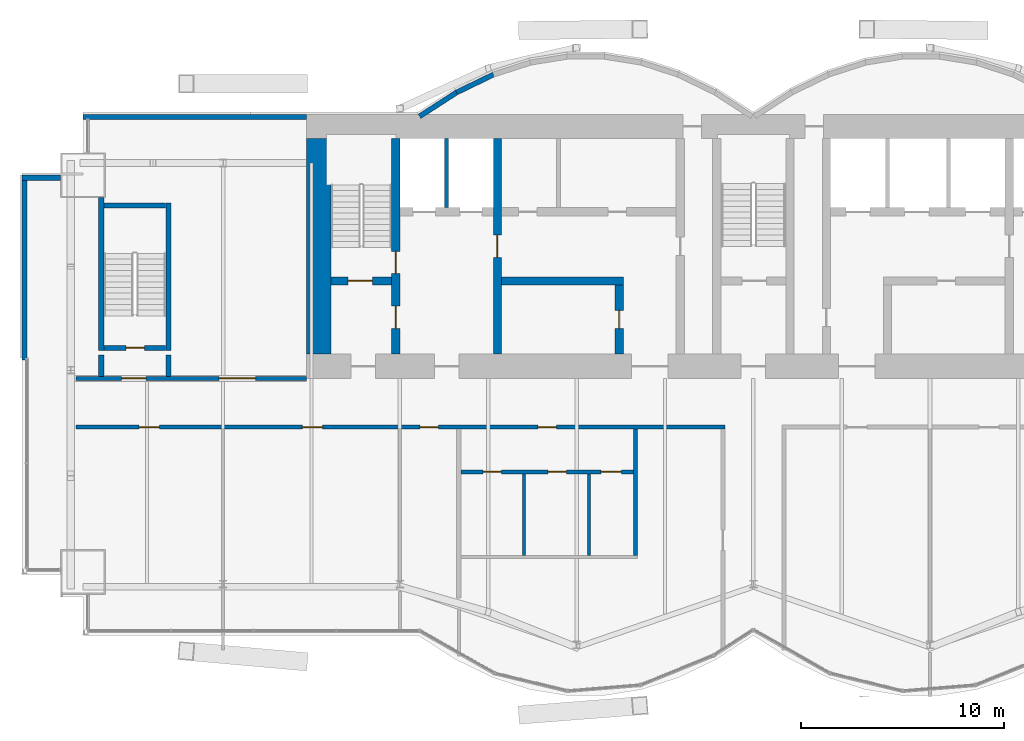
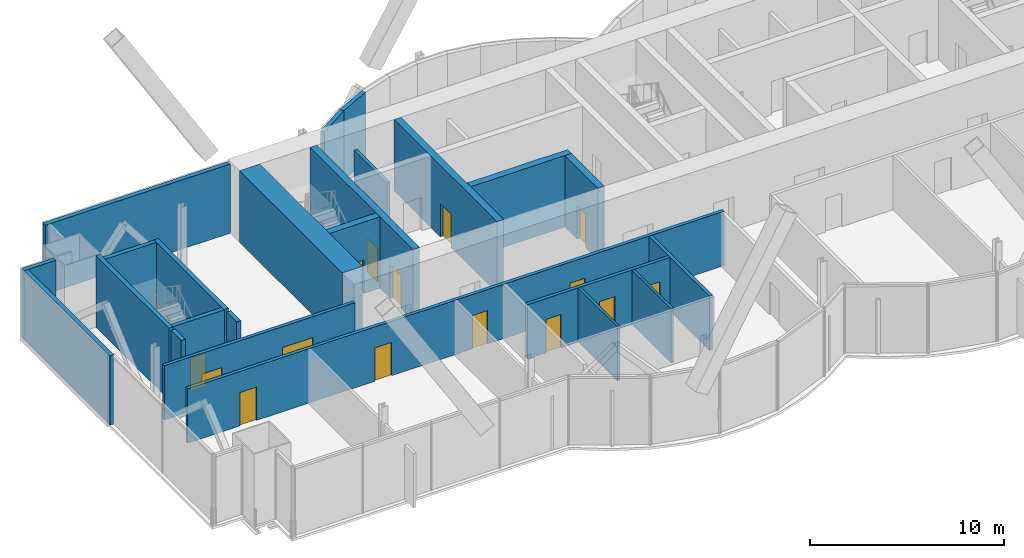
# One storey, part 13 of 19: 24 walls, 15 doors, 15 openings.
"""IFC4 building model written with IfcOpenShell, lengths in metres."""

import ifcopenshell
import ifcopenshell.guid

model = None  # the IFC model being written
_history = None  # IfcOwnerHistory: only IFC2X3 demands one
_inside = {}  # id of a spatial element -> (the spatial element, [elements in it])
_under = {}  # id of a project, library or spatial element -> (it, [spatial elements below it])
_declared = {}  # id of a project -> (the project, [libraries it declares])
_typed = {}  # id of a type object -> (the type object, [elements of that type])
_made_of = {}  # id of a material, layer set ... -> (it, [elements and type objects made of it])


def new_model(schema):
    """Start an empty IFC model of exactly this schema.

    Asked for "IFC4X3", IfcOpenShell would pick the latest addendum, in which some entities
    have other attributes; the version numbers below select the first issue.
    IFC2X3 requires an IfcOwnerHistory on every rooted entity: one is made here for all.
    """
    global model, _history
    if schema == "IFC4X3":
        model = ifcopenshell.file(schema_version=(4, 3, 0, 0))
    else:
        model = ifcopenshell.file(schema=schema)
    _inside.clear()
    _under.clear()
    _declared.clear()
    _typed.clear()
    _made_of.clear()
    _history = None
    if model.schema == "IFC2X3":
        org = make("IfcOrganization", Name="unknown")
        user = make(
            "IfcPersonAndOrganization",
            ThePerson=make("IfcPerson", FamilyName="unknown"),
            TheOrganization=org,
        )
        app = make(
            "IfcApplication",
            ApplicationDeveloper=org,
            Version="unknown",
            ApplicationFullName="unknown",
            ApplicationIdentifier="unknown",
        )
        _history = make(
            "IfcOwnerHistory",
            OwningUser=user,
            OwningApplication=app,
            ChangeAction="ADDED",
            CreationDate=0,
        )
    return model


def make(cls, **values):
    """One entity of the class cls with the attributes given. An attribute that is None is left unset."""
    return model.create_entity(
        cls, **{name: value for name, value in values.items() if value is not None}
    )


def rooted(cls, **values):
    """An entity with a GlobalId (a new one), such as an element, a storey or a relation."""
    return make(cls, GlobalId=ifcopenshell.guid.new(), OwnerHistory=_history, **values)


def si_unit(unit_type, name, prefix=None):
    """IfcSIUnit, for example si_unit("LENGTHUNIT", "METRE", prefix="MILLI")."""
    return make("IfcSIUnit", UnitType=unit_type, Prefix=prefix, Name=name)


def assignment(units):
    """IfcUnitAssignment: the units of a project."""
    return None if units is None else make("IfcUnitAssignment", Units=units)


def point(xyz):
    """IfcCartesianPoint."""
    return None if xyz is None else make("IfcCartesianPoint", Coordinates=xyz)


def direction(xyz):
    """IfcDirection."""
    return None if xyz is None else make("IfcDirection", DirectionRatios=xyz)


def frame(location, z_axis=None, x_axis=None):
    """IfcAxis2Placement3D, a coordinate frame: its origin and axes. An axis left out is left unset."""
    return make(
        "IfcAxis2Placement3D",
        Location=point(location),
        Axis=direction(z_axis),
        RefDirection=direction(x_axis),
    )


def frame_2d(location, x_axis=None):
    """IfcAxis2Placement2D, a coordinate frame in the plane: its origin and x axis."""
    return make(
        "IfcAxis2Placement2D", Location=point(location), RefDirection=direction(x_axis)
    )


def origin():
    """The frame at (0, 0, 0) with its axes left unset."""
    return frame((0.0, 0.0, 0.0))


def place(relative_to, where):
    """IfcLocalPlacement: puts the frame where relative to a parent placement (None: the world)."""
    return make(
        "IfcLocalPlacement", PlacementRelTo=relative_to, RelativePlacement=where
    )


def context(
    kind, dimensions, precision=None, world=None, true_north=None, identifier=None
):
    """IfcGeometricRepresentationContext, for example the 3D "Model" context."""
    return make(
        "IfcGeometricRepresentationContext",
        ContextIdentifier=identifier,
        ContextType=kind,
        CoordinateSpaceDimension=dimensions,
        Precision=precision,
        WorldCoordinateSystem=world,
        TrueNorth=true_north,
    )


def subcontext(parent, identifier, kind, view, scale=None):
    """IfcGeometricRepresentationSubContext, for example "Body" below "Model"."""
    return make(
        "IfcGeometricRepresentationSubContext",
        ContextIdentifier=identifier,
        ContextType=kind,
        ParentContext=parent,
        TargetScale=scale,
        TargetView=view,
    )


def project(units=None, contexts=None):
    """IfcProject with its units and contexts."""
    return rooted(
        "IfcProject",
        Name="project",
        RepresentationContexts=contexts,
        UnitsInContext=assignment(units),
    )


def spatial(cls, under=None, at=None, **own):
    """A site, building, storey or space (cls), placed at a placement, below another one or the project."""
    s = rooted(cls, ObjectPlacement=at, **own)
    if under is not None:
        _under.setdefault(under.id(), (under, []))[1].append(s)
    return s


def profile(cls, at=None, kind="AREA", **sizes):
    """A parametric profile (cls). Its sizes go by their IFC names, for example OverallWidth=200.0."""
    return make(cls, ProfileType=kind, Position=at, **sizes)


def rectangle(**sizes):
    """IfcRectangleProfileDef."""
    return profile("IfcRectangleProfileDef", **sizes)


def extrude(swept, where, along, depth):
    """IfcExtrudedAreaSolid: the profile swept, set in the frame where, extruded along a direction by depth."""
    return make(
        "IfcExtrudedAreaSolid",
        SweptArea=swept,
        Position=where,
        ExtrudedDirection=direction(along),
        Depth=depth,
    )


def shape(context_of_items, identifier, shape_type, items):
    """IfcShapeRepresentation: the items that make up one representation, for example the "Body"."""
    return make(
        "IfcShapeRepresentation",
        ContextOfItems=context_of_items,
        RepresentationIdentifier=identifier,
        RepresentationType=shape_type,
        Items=items,
    )


def material(Name=None, Category=None):
    """IfcMaterial."""
    return make("IfcMaterial", Name=Name, Category=Category)


def layer(
    of_material, thickness, ventilated=None, Name=None, Category=None, Priority=None
):
    """IfcMaterialLayer: one layer of a wall or slab, of a material (None: an air gap)."""
    return make(
        "IfcMaterialLayer",
        Material=of_material,
        LayerThickness=thickness,
        IsVentilated=ventilated,
        Name=Name,
        Category=Category,
        Priority=Priority,
    )


def layer_set(layers, Name=None):
    """IfcMaterialLayerSet."""
    return make("IfcMaterialLayerSet", MaterialLayers=layers, LayerSetName=Name)


def layer_usage(for_layer_set, set_direction, sense, offset, extent=None):
    """IfcMaterialLayerSetUsage: how a layer set lies in its element."""
    return make(
        "IfcMaterialLayerSetUsage",
        ForLayerSet=for_layer_set,
        LayerSetDirection=set_direction,
        DirectionSense=sense,
        OffsetFromReferenceLine=offset,
        ReferenceExtent=extent,
    )


def made_of(thing, what):
    """Note that an element or type object is made of a material, layer set ...; save() writes the relation."""
    if what is not None:
        _made_of.setdefault(what.id(), (what, []))[1].append(thing)
    return thing


def type_object(cls, material=None, **own):
    """A type object (cls), such as IfcWallType, which elements share."""
    return made_of(rooted(cls, **own), material)


def element(
    cls,
    number,
    at=None,
    inside=None,
    cuts=None,
    type_object=None,
    material=None,
    context=None,
    identifier="Body",
    shape_type=None,
    held_by="IfcProductDefinitionShape",
    body=None,
    shapes=None,
    **own,
):
    """One element of the class cls, such as IfcWall. Its Tag is "e" and its number.

    at: its placement. inside: the storey or other place that contains it. cuts: it is an
    opening in that element (IfcRelVoidsElement). A single representation is given by context,
    identifier, shape_type and body (its items); several are given by shapes. held_by: the class
    of the entity that holds the representations. save() writes the other relations.
    """
    e = rooted(cls, Tag="e%d" % number, ObjectPlacement=at, **own)
    if body is not None:
        shapes = [shape(context, identifier, shape_type, body)]
    if shapes is not None:
        e.Representation = make(held_by, Representations=shapes)
    if inside is not None:
        _inside.setdefault(inside.id(), (inside, []))[1].append(e)
    if cuts is not None:
        rooted(
            "IfcRelVoidsElement", RelatingBuildingElement=cuts, RelatedOpeningElement=e
        )
    if type_object is not None:
        _typed.setdefault(type_object.id(), (type_object, []))[1].append(e)
    return made_of(e, material)


def fill(opening, filler):
    """IfcRelFillsElement: the door or window that sits in an opening."""
    return rooted(
        "IfcRelFillsElement",
        RelatingOpeningElement=opening,
        RelatedBuildingElement=filler,
    )


def aggregate(whole, parts):
    """IfcRelAggregates: a whole, such as a stair, and the parts it consists of."""
    return rooted("IfcRelAggregates", RelatingObject=whole, RelatedObjects=parts)


def save(model, path):
    """Write the relations noted so far, then the file.

    IfcRelAggregates (storeys below a building ...), IfcRelContainedInSpatialStructure (elements
    in a storey), IfcRelDefinesByType, IfcRelAssociatesMaterial and IfcRelDeclares: one each for
    every whole, place, type object, material and project.
    """
    for whole, parts in _under.values():
        aggregate(whole, parts)
    for where, things in _inside.values():
        rooted(
            "IfcRelContainedInSpatialStructure",
            RelatedElements=things,
            RelatingStructure=where,
        )
    for kind, things in _typed.values():
        rooted("IfcRelDefinesByType", RelatedObjects=things, RelatingType=kind)
    for what, things in _made_of.values():
        rooted("IfcRelAssociatesMaterial", RelatedObjects=things, RelatingMaterial=what)
    for by, libraries in _declared.values():
        rooted("IfcRelDeclares", RelatingContext=by, RelatedDefinitions=libraries)
    model.write(path)


model = new_model("IFC4")

# Units and contexts
model_context = context("Model", 3, precision=1e-05, world=origin(), true_north=direction((0.0, 1.0)))
body_context = subcontext(model_context, "Body", "Model", "MODEL_VIEW")
ifc_project = project(units=[si_unit("LENGTHUNIT", "METRE"), si_unit("AREAUNIT", "SQUARE_METRE"), si_unit("VOLUMEUNIT", "CUBIC_METRE"), si_unit("PLANEANGLEUNIT", "RADIAN"), si_unit("MASSUNIT", "GRAM", prefix="KILO")], contexts=[model_context])

# Site, building, storey
site_placement = place(None, origin())
site = spatial("IfcSite", under=ifc_project, at=site_placement, CompositionType="ELEMENT")
building_placement = place(site_placement, origin())
building = spatial("IfcBuilding", under=site, at=building_placement, Name="Bicima Exchange Tower", CompositionType="ELEMENT")
storey_placement = place(building_placement, frame((0.0, 0.0, 324.5)))
storey = spatial("IfcBuildingStorey", under=building, at=storey_placement, Name="L73", CompositionType="ELEMENT", Elevation=324.5)

# Wall
ifc_material_1 = material(Name="Gypsum board partition")
ifc_layer_1 = layer(ifc_material_1, 0.199951171875)
ifc_layer_set_1 = layer_set([ifc_layer_1], Name="Gypsum board partition")
wall_type_1 = type_object("IfcWallType", Name="Fire-rated gypsum partition 200 EI120", PredefinedType="PARTITIONING", material=ifc_layer_set_1)
wall_1_placement = place(storey_placement, frame((-15.10009765625, -4.60009765625, 0.0), z_axis=(0.0, 0.0, 1.0), x_axis=(0.0, 1.0, 0.0)))
element("IfcWall", 1, at=wall_1_placement, inside=storey, type_object=wall_type_1, Name="partition wall 9", PredefinedType="PARTITIONING", context=body_context, shape_type="SweptSolid", body=[
    extrude(rectangle(XDim=3.400146484375, YDim=0.199951171875, at=frame_2d((1.7001953125, 0.0))), origin(), (0.0, 0.0, 1.0), 3.418212890625),
])

# Wall, openings, doors
ifc_layer_2 = layer(ifc_material_1, 0.199951171875)
ifc_layer_set_2 = layer_set([ifc_layer_2], Name="Gypsum board partition")
wall_type_2 = type_object("IfcWallType", Name="Fire-rated gypsum partition 200 EI60", PredefinedType="PARTITIONING", material=ifc_layer_set_2)
wall_2_placement = place(storey_placement, frame((-14.39990234375, -17.60009765625, 0.0), z_axis=(0.0, 0.0, 1.0), x_axis=(1.0, 0.0, 0.0)))
wall_2 = element("IfcWall", 2, at=wall_2_placement, inside=storey, type_object=wall_type_2, Name="partition wall 2", PredefinedType="PARTITIONING", context=body_context, shape_type="SweptSolid", body=[
    extrude(rectangle(XDim=8.5, YDim=0.199951171875, at=frame_2d((4.25, 0.0))), origin(), (0.0, 0.0, 1.0), 3.418212890625),
])
opening_1_placement = place(wall_2_placement, frame((1.10009765625, 0.0, 0.0)))
opening_1 = element("IfcOpeningElement", 3, at=opening_1_placement, cuts=wall_2, Name="Opening L73-011", PredefinedType="OPENING", context=body_context, shape_type="SweptSolid", body=[
    extrude(rectangle(XDim=0.89990234375, YDim=2.10009765625, at=frame_2d((0.449951171875, 1.050048828125))), frame((0.0, 0.11181640625, 0.0), z_axis=(0.0, -1.0, 0.0), x_axis=(1.0, 0.0, 0.0)), (0.0, 0.0, 1.0), 0.223876953125),
])
opening_2_placement = place(wall_2_placement, frame((4.300048828125, 0.0, 0.0)))
opening_2 = element("IfcOpeningElement", 4, at=opening_2_placement, cuts=wall_2, Name="Opening L73-012", PredefinedType="OPENING", context=body_context, shape_type="SweptSolid", body=[
    extrude(rectangle(XDim=0.89990234375, YDim=2.10009765625, at=frame_2d((0.449951171875, 1.050048828125))), frame((0.0, 0.11181640625, 0.0), z_axis=(0.0, -1.0, 0.0), x_axis=(1.0, 0.0, 0.0)), (0.0, 0.0, 1.0), 0.223876953125),
])
opening_3_placement = place(wall_2_placement, frame((6.89990234375, 0.0, 0.0)))
opening_3 = element("IfcOpeningElement", 5, at=opening_3_placement, cuts=wall_2, Name="Opening L73-013", PredefinedType="OPENING", context=body_context, shape_type="SweptSolid", body=[
    extrude(rectangle(XDim=1.0, YDim=2.10009765625, at=frame_2d((0.5, 1.050048828125))), frame((0.0, 0.11181640625, 0.0), z_axis=(0.0, -1.0, 0.0), x_axis=(1.0, 0.0, 0.0)), (0.0, 0.0, 1.0), 0.223876953125),
])
ifc_material_2 = material(Name="Steel fire door leaf", Category="steel")
door_type_1 = type_object("IfcDoorType", Name="Door 1000 swing FD30S", OperationType="SINGLE_SWING_LEFT", PredefinedType="DOOR", material=ifc_material_2)
door_1_placement = place(opening_3_placement, frame((1.0, 0.0, 0.0), z_axis=(0.0, 0.0, 1.0), x_axis=(-1.0, 0.0, 0.0)))
door_1 = element("IfcDoor", 6, at=door_1_placement, inside=storey, type_object=door_type_1, Name="Door", OperationType="SINGLE_SWING_LEFT", OverallHeight=2.10009765625, OverallWidth=1.0, PredefinedType="DOOR", context=body_context, shape_type="SweptSolid", body=[
    extrude(rectangle(XDim=1.0, YDim=2.10009765625, at=frame_2d((0.5, 1.050048828125))), frame((0.0, 0.02490234375, 0.0), z_axis=(0.0, -1.0, 0.0), x_axis=(1.0, 0.0, 0.0)), (0.0, 0.0, 1.0), 0.050048828125),
])
fill(opening_3, door_1)
door_type_2 = type_object("IfcDoorType", Name="Door 900 swing FD30S", OperationType="SINGLE_SWING_LEFT", PredefinedType="DOOR", material=ifc_material_2)
door_2_placement = place(opening_1_placement, frame((0.89990234375, 0.0, 0.0), z_axis=(0.0, 0.0, 1.0), x_axis=(-1.0, 0.0, 0.0)))
door_2 = element("IfcDoor", 7, at=door_2_placement, inside=storey, type_object=door_type_2, Name="Door", OperationType="SINGLE_SWING_RIGHT", OverallHeight=2.10009765625, OverallWidth=0.89990234375, PredefinedType="DOOR", context=body_context, shape_type="SweptSolid", body=[
    extrude(rectangle(XDim=0.89990234375, YDim=2.10009765625, at=frame_2d((0.449951171875, 1.050048828125))), frame((0.0, 0.02490234375, 0.0), z_axis=(0.0, -1.0, 0.0), x_axis=(1.0, 0.0, 0.0)), (0.0, 0.0, 1.0), 0.050048828125),
])
fill(opening_1, door_2)
door_3_placement = place(opening_2_placement, frame((0.89990234375, 0.0, 0.0), z_axis=(0.0, 0.0, 1.0), x_axis=(-1.0, 0.0, 0.0)))
door_3 = element("IfcDoor", 8, at=door_3_placement, inside=storey, type_object=door_type_2, Name="Door", OperationType="SINGLE_SWING_RIGHT", OverallHeight=2.10009765625, OverallWidth=0.89990234375, PredefinedType="DOOR", context=body_context, shape_type="SweptSolid", body=[
    extrude(rectangle(XDim=0.89990234375, YDim=2.10009765625, at=frame_2d((0.449951171875, 1.050048828125))), frame((0.0, 0.02490234375, 0.0), z_axis=(0.0, -1.0, 0.0), x_axis=(1.0, 0.0, 0.0)), (0.0, 0.0, 1.0), 0.050048828125),
])
fill(opening_2, door_3)

wall_3_placement = place(storey_placement, frame((-33.340087890625, -15.39990234375, 0.0), z_axis=(0.0, 0.0, 1.0), x_axis=(1.0, 0.0, 0.0)))
wall_3 = element("IfcWall", 9, at=wall_3_placement, inside=storey, type_object=wall_type_2, Name="partition wall 3", PredefinedType="PARTITIONING", context=body_context, shape_type="SweptSolid", body=[
    extrude(rectangle(XDim=31.940185546875, YDim=0.199951171875, at=frame_2d((15.97021484375, 0.0))), origin(), (0.0, 0.0, 1.0), 3.418212890625),
])
opening_4_placement = place(wall_3_placement, frame((3.10009765625, 0.0, 0.0)))
opening_4 = element("IfcOpeningElement", 10, at=opening_4_placement, cuts=wall_3, Name="Opening L73-007", PredefinedType="OPENING", context=body_context, shape_type="SweptSolid", body=[
    extrude(rectangle(XDim=1.0, YDim=2.10009765625, at=frame_2d((0.5, 1.050048828125))), frame((0.0, 0.11181640625, 0.0), z_axis=(0.0, -1.0, 0.0), x_axis=(1.0, 0.0, 0.0)), (0.0, 0.0, 1.0), 0.223876953125),
])
opening_5_placement = place(wall_3_placement, frame((11.139892578125, 0.0, 0.0)))
opening_5 = element("IfcOpeningElement", 11, at=opening_5_placement, cuts=wall_3, Name="Opening L73-008", PredefinedType="OPENING", context=body_context, shape_type="SweptSolid", body=[
    extrude(rectangle(XDim=1.0, YDim=2.10009765625, at=frame_2d((0.5, 1.050048828125))), frame((0.0, 0.11181640625, 0.0), z_axis=(0.0, -1.0, 0.0), x_axis=(1.0, 0.0, 0.0)), (0.0, 0.0, 1.0), 0.223876953125),
])
opening_6_placement = place(wall_3_placement, frame((16.93994140625, 0.0, 0.0)))
opening_6 = element("IfcOpeningElement", 12, at=opening_6_placement, cuts=wall_3, Name="Opening L73-009", PredefinedType="OPENING", context=body_context, shape_type="SweptSolid", body=[
    extrude(rectangle(XDim=0.89990234375, YDim=2.10009765625, at=frame_2d((0.449951171875, 1.050048828125))), frame((0.0, 0.11181640625, 0.0), z_axis=(0.0, -1.0, 0.0), x_axis=(1.0, 0.0, 0.0)), (0.0, 0.0, 1.0), 0.223876953125),
])
opening_7_placement = place(wall_3_placement, frame((22.739990234375, 0.0, 0.0)))
opening_7 = element("IfcOpeningElement", 13, at=opening_7_placement, cuts=wall_3, Name="Opening L73-010", PredefinedType="OPENING", context=body_context, shape_type="SweptSolid", body=[
    extrude(rectangle(XDim=0.89990234375, YDim=2.10009765625, at=frame_2d((0.449951171875, 1.050048828125))), frame((0.0, 0.11181640625, 0.0), z_axis=(0.0, -1.0, 0.0), x_axis=(1.0, 0.0, 0.0)), (0.0, 0.0, 1.0), 0.223876953125),
])
door_4_placement = place(opening_4_placement, frame((1.0, 0.0, 0.0), z_axis=(0.0, 0.0, 1.0), x_axis=(-1.0, 0.0, 0.0)))
door_4 = element("IfcDoor", 14, at=door_4_placement, inside=storey, type_object=door_type_1, Name="Door", OperationType="SINGLE_SWING_LEFT", OverallHeight=2.10009765625, OverallWidth=1.0, PredefinedType="DOOR", context=body_context, shape_type="SweptSolid", body=[
    extrude(rectangle(XDim=1.0, YDim=2.10009765625, at=frame_2d((0.5, 1.050048828125))), frame((0.0, 0.02490234375, 0.0), z_axis=(0.0, -1.0, 0.0), x_axis=(1.0, 0.0, 0.0)), (0.0, 0.0, 1.0), 0.050048828125),
])
fill(opening_4, door_4)
door_5_placement = place(opening_5_placement, frame((1.0, 0.0, 0.0), z_axis=(0.0, 0.0, 1.0), x_axis=(-1.0, 0.0, 0.0)))
door_5 = element("IfcDoor", 15, at=door_5_placement, inside=storey, type_object=door_type_1, Name="Door", OperationType="SINGLE_SWING_RIGHT", OverallHeight=2.10009765625, OverallWidth=1.0, PredefinedType="DOOR", context=body_context, shape_type="SweptSolid", body=[
    extrude(rectangle(XDim=1.0, YDim=2.10009765625, at=frame_2d((0.5, 1.050048828125))), frame((0.0, 0.02490234375, 0.0), z_axis=(0.0, -1.0, 0.0), x_axis=(1.0, 0.0, 0.0)), (0.0, 0.0, 1.0), 0.050048828125),
])
fill(opening_5, door_5)
door_6_placement = place(opening_6_placement, frame((0.89990234375, 0.0, 0.0), z_axis=(0.0, 0.0, 1.0), x_axis=(-1.0, 0.0, 0.0)))
door_6 = element("IfcDoor", 16, at=door_6_placement, inside=storey, type_object=door_type_2, Name="Door", OperationType="SINGLE_SWING_RIGHT", OverallHeight=2.10009765625, OverallWidth=0.89990234375, PredefinedType="DOOR", context=body_context, shape_type="SweptSolid", body=[
    extrude(rectangle(XDim=0.89990234375, YDim=2.10009765625, at=frame_2d((0.449951171875, 1.050048828125))), frame((0.0, 0.02490234375, 0.0), z_axis=(0.0, -1.0, 0.0), x_axis=(1.0, 0.0, 0.0)), (0.0, 0.0, 1.0), 0.050048828125),
])
fill(opening_6, door_6)
door_7_placement = place(opening_7_placement, frame((0.89990234375, 0.0, 0.0), z_axis=(0.0, 0.0, 1.0), x_axis=(-1.0, 0.0, 0.0)))
door_7 = element("IfcDoor", 17, at=door_7_placement, inside=storey, type_object=door_type_2, Name="Door", OperationType="SINGLE_SWING_LEFT", OverallHeight=2.10009765625, OverallWidth=0.89990234375, PredefinedType="DOOR", context=body_context, shape_type="SweptSolid", body=[
    extrude(rectangle(XDim=0.89990234375, YDim=2.10009765625, at=frame_2d((0.449951171875, 1.050048828125))), frame((0.0, 0.02490234375, 0.0), z_axis=(0.0, -1.0, 0.0), x_axis=(1.0, 0.0, 0.0)), (0.0, 0.0, 1.0), 0.050048828125),
])
fill(opening_7, door_7)

wall_4_placement = place(storey_placement, frame((-33.340087890625, -13.0, 0.0), z_axis=(0.0, 0.0, 1.0), x_axis=(1.0, 0.0, 0.0)))
wall_4 = element("IfcWall", 18, at=wall_4_placement, inside=storey, type_object=wall_type_2, Name="partition wall 5", PredefinedType="PARTITIONING", context=body_context, shape_type="SweptSolid", body=[
    extrude(rectangle(XDim=11.340087890625, YDim=0.199951171875, at=frame_2d((5.669921875, 0.0))), origin(), (0.0, 0.0, 1.0), 3.418212890625),
])
opening_8_placement = place(wall_4_placement, frame((2.239990234375, 0.0, 0.0)))
opening_8 = element("IfcOpeningElement", 19, at=opening_8_placement, cuts=wall_4, Name="Opening L73-001", PredefinedType="OPENING", context=body_context, shape_type="SweptSolid", body=[
    extrude(rectangle(XDim=1.199951171875, YDim=2.10009765625, at=frame_2d((0.60009765625, 1.050048828125))), frame((0.0, 0.11181640625, 0.0), z_axis=(0.0, -1.0, 0.0), x_axis=(1.0, 0.0, 0.0)), (0.0, 0.0, 1.0), 0.223876953125),
])
opening_9_placement = place(wall_4_placement, frame((7.0400390625, 0.0, 0.0)))
opening_9 = element("IfcOpeningElement", 20, at=opening_9_placement, cuts=wall_4, Name="Opening L73-005", PredefinedType="OPENING", context=body_context, shape_type="SweptSolid", body=[
    extrude(rectangle(XDim=1.800048828125, YDim=2.10009765625, at=frame_2d((0.89990234375, 1.050048828125))), frame((0.0, 0.11181640625, 0.0), z_axis=(0.0, -1.0, 0.0), x_axis=(1.0, 0.0, 0.0)), (0.0, 0.0, 1.0), 0.223876953125),
])
door_type_3 = type_object("IfcDoorType", Name="Door 1200 swing FD30S", OperationType="SINGLE_SWING_LEFT", PredefinedType="DOOR", material=ifc_material_2)
door_8_placement = place(opening_8_placement, origin())
door_8 = element("IfcDoor", 21, at=door_8_placement, inside=storey, type_object=door_type_3, Name="Door", OperationType="SINGLE_SWING_LEFT", OverallHeight=2.10009765625, OverallWidth=1.199951171875, PredefinedType="DOOR", context=body_context, shape_type="SweptSolid", body=[
    extrude(rectangle(XDim=1.199951171875, YDim=2.10009765625, at=frame_2d((0.60009765625, 1.050048828125))), frame((0.0, 0.02490234375, 0.0), z_axis=(0.0, -1.0, 0.0), x_axis=(1.0, 0.0, 0.0)), (0.0, 0.0, 1.0), 0.050048828125),
])
fill(opening_8, door_8)
door_type_4 = type_object("IfcDoorType", Name="Door 1800 double swing FD30S", OperationType="DOUBLE_DOOR_SINGLE_SWING", PredefinedType="DOOR", material=ifc_material_2)
door_9_placement = place(opening_9_placement, origin())
door_9 = element("IfcDoor", 22, at=door_9_placement, inside=storey, type_object=door_type_4, Name="Door", OperationType="SINGLE_SWING_LEFT", OverallHeight=2.10009765625, OverallWidth=1.800048828125, PredefinedType="DOOR", context=body_context, shape_type="SweptSolid", body=[
    extrude(rectangle(XDim=1.800048828125, YDim=2.10009765625, at=frame_2d((0.89990234375, 1.050048828125))), frame((0.0, 0.02490234375, 0.0), z_axis=(0.0, -1.0, 0.0), x_axis=(1.0, 0.0, 0.0)), (0.0, 0.0, 1.0), 0.050048828125),
])
fill(opening_9, door_9)

# Walls
wall_5_placement = place(storey_placement, frame((-5.800048828125, -21.72509765625, 0.0), z_axis=(0.0, 0.0, 1.0), x_axis=(0.0, 1.0, 0.0)))
element("IfcWall", 23, at=wall_5_placement, inside=storey, type_object=wall_type_2, Name="partition wall 20", PredefinedType="PARTITIONING", context=body_context, shape_type="SweptSolid", body=[
    extrude(rectangle(XDim=6.22509765625, YDim=0.199951171875, at=frame_2d((3.112548828125, 0.0))), origin(), (0.0, 0.0, 1.0), 3.418212890625),
])
ifc_layer_3 = layer(ifc_material_1, 0.14990234375)
ifc_layer_set_3 = layer_set([ifc_layer_3], Name="Gypsum board partition")
wall_type_3 = type_object("IfcWallType", Name="Gypsum partition 150", PredefinedType="PARTITIONING", material=ifc_layer_set_3)
for number, where, z_axis, x_axis, name in (
    (24, (-11.300048828125, -21.72509765625, 0.0), (0.0, 0.0, 1.0), (0.0, 1.0, 0.0), "partition wall 18"),
    (25, (-8.10009765625, -21.72509765625, 0.0), (0.0, 0.0, 1.0), (0.0, 1.0, 0.0), "partition wall 19"),
):
    element("IfcWall", number, at=place(storey_placement, frame(where, z_axis=z_axis, x_axis=x_axis)), inside=storey, type_object=wall_type_3, Name=name, PredefinedType="PARTITIONING", context=body_context, shape_type="SweptSolid", body=[
        extrude(rectangle(XDim=4.025146484375, YDim=0.14990234375, at=frame_2d((2.0126953125, 0.0))), origin(), (0.0, 0.0, 1.0), 3.418212890625),
    ])
ifc_material_3 = material(Name="Concrete C40/50", Category="concrete")
ifc_layer_4 = layer(ifc_material_3, 1.199951171875)
ifc_layer_set_4 = layer_set([ifc_layer_4], Name="Concrete C40/50")
wall_type_4 = type_object("IfcWallType", Name="RC core wall 1200 C40/50", PredefinedType="SHEAR", material=ifc_layer_set_4)
wall_6_placement = place(storey_placement, frame((-21.39990234375, -11.800048828125, 0.0), z_axis=(0.0, 0.0, 1.0), x_axis=(0.0, 1.0, 0.0)))
element("IfcWall", 26, at=wall_6_placement, inside=storey, type_object=wall_type_4, Name="Core wall west", PredefinedType="SHEAR", context=body_context, shape_type="SweptSolid", body=[
    extrude(rectangle(XDim=10.60009765625, YDim=1.199951171875, at=frame_2d((5.300048828125, 0.0))), origin(), (0.0, 0.0, 1.0), 4.5),
])
ifc_material_4 = material(Name="Concrete C50/60", Category="concrete")
ifc_layer_5 = layer(ifc_material_4, 0.25)
ifc_layer_set_5 = layer_set([ifc_layer_5], Name="Concrete C50/60")
wall_type_5 = type_object("IfcWallType", Name="RC core wall 250 C50/60", PredefinedType="SHEAR", material=ifc_layer_set_5)
for number, where, z_axis, x_axis, name in (
    (27, (-32.10009765625, -12.89990234375, 0.0), (0.0, 0.0, 1.0), (0.0, 1.0, 0.0), "stair wall 11"),
    (28, (-28.800048828125, -12.89990234375, 0.0), (0.0, 0.0, 1.0), (0.0, 1.0, 0.0), "stair wall 12"),
):
    element("IfcWall", number, at=place(storey_placement, frame(where, z_axis=z_axis, x_axis=x_axis)), inside=storey, type_object=wall_type_5, Name=name, PredefinedType="SHEAR", context=body_context, shape_type="SweptSolid", body=[
        extrude(rectangle(XDim=1.0498046875, YDim=0.25, at=frame_2d((0.52490234375, 0.0))), origin(), (0.0, 0.0, 1.0), 4.5),
    ])
ifc_layer_6 = layer(ifc_material_3, 0.39990234375)
ifc_layer_set_6 = layer_set([ifc_layer_6], Name="Concrete C40/50")
wall_type_6 = type_object("IfcWallType", Name="RC core wall 400 C40/50", PredefinedType="SHEAR", material=ifc_layer_set_6)
wall_7_placement = place(storey_placement, frame((-12.39990234375, -8.199951171875, 0.0), z_axis=(0.0, 0.0, 1.0), x_axis=(1.0, 0.0, 0.0)))
element("IfcWall", 29, at=wall_7_placement, inside=storey, type_object=wall_type_6, Name="shear wall 2", PredefinedType="SHEAR", context=body_context, shape_type="SweptSolid", body=[
    extrude(rectangle(XDim=6.0, YDim=0.39990234375, at=frame_2d((3.0, 0.0))), origin(), (0.0, 0.0, 1.0), 4.5),
])

# Wall, opening, door
wall_8_placement = place(storey_placement, frame((-12.60009765625, -11.800048828125, 0.0), z_axis=(0.0, 0.0, 1.0), x_axis=(0.0, 1.0, 0.0)))
wall_8 = element("IfcWall", 30, at=wall_8_placement, inside=storey, type_object=wall_type_6, Name="shear wall 10", PredefinedType="SHEAR", context=body_context, shape_type="SweptSolid", body=[
    extrude(rectangle(XDim=10.60009765625, YDim=0.39990234375, at=frame_2d((5.300048828125, 0.0))), origin(), (0.0, 0.0, 1.0), 4.5),
])
opening_10_placement = place(wall_8_placement, frame((4.75, 0.0, 0.0)))
opening_10 = element("IfcOpeningElement", 31, at=opening_10_placement, cuts=wall_8, Name="Opening L73-C07", PredefinedType="OPENING", context=body_context, shape_type="SweptSolid", body=[
    extrude(rectangle(XDim=1.10009765625, YDim=2.10009765625, at=frame_2d((0.550048828125, 1.050048828125))), frame((0.0, 0.2119140625, 0.0), z_axis=(0.0, -1.0, 0.0), x_axis=(1.0, 0.0, 0.0)), (0.0, 0.0, 1.0), 0.423828125),
])
door_type_5 = type_object("IfcDoorType", Name="Door 1100 swing FD60S", OperationType="SINGLE_SWING_LEFT", PredefinedType="DOOR", material=ifc_material_2)
door_10_placement = place(opening_10_placement, origin())
door_10 = element("IfcDoor", 32, at=door_10_placement, inside=storey, type_object=door_type_5, Name="Core door", OperationType="SINGLE_SWING_LEFT", OverallHeight=2.10009765625, OverallWidth=1.10009765625, PredefinedType="DOOR", context=body_context, shape_type="SweptSolid", body=[
    extrude(rectangle(XDim=1.10009765625, YDim=2.10009765625, at=frame_2d((0.550048828125, 1.050048828125))), frame((0.0, 0.02490234375, 0.0), z_axis=(0.0, -1.0, 0.0), x_axis=(1.0, 0.0, 0.0)), (0.0, 0.0, 1.0), 0.050048828125),
])
fill(opening_10, door_10)

wall_9_placement = place(storey_placement, frame((-6.60009765625, -11.800048828125, 0.0), z_axis=(0.0, 0.0, 1.0), x_axis=(0.0, 1.0, 0.0)))
wall_9 = element("IfcWall", 33, at=wall_9_placement, inside=storey, type_object=wall_type_6, Name="shear wall 12", PredefinedType="SHEAR", context=body_context, shape_type="SweptSolid", body=[
    extrude(rectangle(XDim=3.400146484375, YDim=0.39990234375, at=frame_2d((1.7001953125, 0.0))), origin(), (0.0, 0.0, 1.0), 4.5),
])
opening_11_placement = place(wall_9_placement, frame((1.25, 0.0, 0.0)))
opening_11 = element("IfcOpeningElement", 34, at=opening_11_placement, cuts=wall_9, Name="Opening L73-C14", PredefinedType="OPENING", context=body_context, shape_type="SweptSolid", body=[
    extrude(rectangle(XDim=0.89990234375, YDim=2.10009765625, at=frame_2d((0.449951171875, 1.050048828125))), frame((0.0, 0.2119140625, 0.0), z_axis=(0.0, -1.0, 0.0), x_axis=(1.0, 0.0, 0.0)), (0.0, 0.0, 1.0), 0.423828125),
])
door_11_placement = place(opening_11_placement, origin())
door_11 = element("IfcDoor", 35, at=door_11_placement, inside=storey, type_object=door_type_2, Name="Core door", OperationType="SINGLE_SWING_RIGHT", OverallHeight=2.10009765625, OverallWidth=0.89990234375, PredefinedType="DOOR", context=body_context, shape_type="SweptSolid", body=[
    extrude(rectangle(XDim=0.89990234375, YDim=2.10009765625, at=frame_2d((0.449951171875, 1.050048828125))), frame((0.0, 0.02490234375, 0.0), z_axis=(0.0, -1.0, 0.0), x_axis=(1.0, 0.0, 0.0)), (0.0, 0.0, 1.0), 0.050048828125),
])
fill(opening_11, door_11)

ifc_layer_7 = layer(ifc_material_4, 0.39990234375)
ifc_layer_set_7 = layer_set([ifc_layer_7], Name="Concrete C50/60")
wall_type_7 = type_object("IfcWallType", Name="RC core wall 400 C50/60", PredefinedType="SHEAR", material=ifc_layer_set_7)
wall_10_placement = place(storey_placement, frame((-20.800048828125, -8.199951171875, 0.0), z_axis=(0.0, 0.0, 1.0), x_axis=(1.0, 0.0, 0.0)))
wall_10 = element("IfcWall", 36, at=wall_10_placement, inside=storey, type_object=wall_type_7, Name="stair wall 1", PredefinedType="SHEAR", context=body_context, shape_type="SweptSolid", body=[
    extrude(rectangle(XDim=3.0, YDim=0.39990234375, at=frame_2d((1.5, 0.0))), origin(), (0.0, 0.0, 1.0), 4.5),
])
opening_12_placement = place(wall_10_placement, frame((0.85009765625, 0.0, 0.0)))
opening_12 = element("IfcOpeningElement", 37, at=opening_12_placement, cuts=wall_10, Name="Opening L73-C01", PredefinedType="OPENING", context=body_context, shape_type="SweptSolid", body=[
    extrude(rectangle(XDim=1.199951171875, YDim=2.10009765625, at=frame_2d((0.60009765625, 1.050048828125))), frame((0.0, 0.2119140625, 0.0), z_axis=(0.0, -1.0, 0.0), x_axis=(1.0, 0.0, 0.0)), (0.0, 0.0, 1.0), 0.423828125),
])
door_type_6 = type_object("IfcDoorType", Name="Door 1200 swing FD60S", OperationType="SINGLE_SWING_LEFT", PredefinedType="DOOR", material=ifc_material_2)
door_12_placement = place(opening_12_placement, origin())
door_12 = element("IfcDoor", 38, at=door_12_placement, inside=storey, type_object=door_type_6, Name="Core door", OperationType="SINGLE_SWING_LEFT", OverallHeight=2.10009765625, OverallWidth=1.199951171875, PredefinedType="DOOR", context=body_context, shape_type="SweptSolid", body=[
    extrude(rectangle(XDim=1.199951171875, YDim=2.10009765625, at=frame_2d((0.60009765625, 1.050048828125))), frame((0.0, 0.02490234375, 0.0), z_axis=(0.0, -1.0, 0.0), x_axis=(1.0, 0.0, 0.0)), (0.0, 0.0, 1.0), 0.050048828125),
])
fill(opening_12, door_12)

# Wall, openings, doors
wall_11_placement = place(storey_placement, frame((-17.60009765625, -11.800048828125, 0.0), z_axis=(0.0, 0.0, 1.0), x_axis=(0.0, 1.0, 0.0)))
wall_11 = element("IfcWall", 39, at=wall_11_placement, inside=storey, type_object=wall_type_7, Name="stair wall 8", PredefinedType="SHEAR", context=body_context, shape_type="SweptSolid", body=[
    extrude(rectangle(XDim=10.60009765625, YDim=0.39990234375, at=frame_2d((5.300048828125, 0.0))), origin(), (0.0, 0.0, 1.0), 4.5),
])
opening_13_placement = place(wall_11_placement, frame((1.25, 0.0, 0.0)))
opening_13 = element("IfcOpeningElement", 40, at=opening_13_placement, cuts=wall_11, Name="Opening L73-C02", PredefinedType="OPENING", context=body_context, shape_type="SweptSolid", body=[
    extrude(rectangle(XDim=1.10009765625, YDim=2.10009765625, at=frame_2d((0.550048828125, 1.050048828125))), frame((0.0, 0.2119140625, 0.0), z_axis=(0.0, -1.0, 0.0), x_axis=(1.0, 0.0, 0.0)), (0.0, 0.0, 1.0), 0.423828125),
])
opening_14_placement = place(wall_11_placement, frame((3.949951171875, 0.0, 0.0)))
opening_14 = element("IfcOpeningElement", 41, at=opening_14_placement, cuts=wall_11, Name="Opening L73-C06", PredefinedType="OPENING", context=body_context, shape_type="SweptSolid", body=[
    extrude(rectangle(XDim=1.10009765625, YDim=2.10009765625, at=frame_2d((0.550048828125, 1.050048828125))), frame((0.0, 0.2119140625, 0.0), z_axis=(0.0, -1.0, 0.0), x_axis=(1.0, 0.0, 0.0)), (0.0, 0.0, 1.0), 0.423828125),
])
door_13_placement = place(opening_13_placement, frame((1.10009765625, 0.0, 0.0), z_axis=(0.0, 0.0, 1.0), x_axis=(-1.0, 0.0, 0.0)))
door_13 = element("IfcDoor", 42, at=door_13_placement, inside=storey, type_object=door_type_5, Name="Core door", OperationType="SINGLE_SWING_LEFT", OverallHeight=2.10009765625, OverallWidth=1.10009765625, PredefinedType="DOOR", context=body_context, shape_type="SweptSolid", body=[
    extrude(rectangle(XDim=1.10009765625, YDim=2.10009765625, at=frame_2d((0.550048828125, 1.050048828125))), frame((0.0, 0.02490234375, 0.0), z_axis=(0.0, -1.0, 0.0), x_axis=(1.0, 0.0, 0.0)), (0.0, 0.0, 1.0), 0.050048828125),
])
fill(opening_13, door_13)
door_14_placement = place(opening_14_placement, frame((1.10009765625, 0.0, 0.0), z_axis=(0.0, 0.0, 1.0), x_axis=(-1.0, 0.0, 0.0)))
door_14 = element("IfcDoor", 43, at=door_14_placement, inside=storey, type_object=door_type_5, Name="Core door", OperationType="SINGLE_SWING_LEFT", OverallHeight=2.10009765625, OverallWidth=1.10009765625, PredefinedType="DOOR", context=body_context, shape_type="SweptSolid", body=[
    extrude(rectangle(XDim=1.10009765625, YDim=2.10009765625, at=frame_2d((0.550048828125, 1.050048828125))), frame((0.0, 0.02490234375, 0.0), z_axis=(0.0, -1.0, 0.0), x_axis=(1.0, 0.0, 0.0)), (0.0, 0.0, 1.0), 0.050048828125),
])
fill(opening_14, door_14)

# Walls
ifc_layer_8 = layer(ifc_material_4, 0.25)
ifc_layer_set_8 = layer_set([ifc_layer_8], Name="Concrete C50/60")
wall_type_8 = type_object("IfcWallType", Name="RC stair enclosure wall 250 C50/60", PredefinedType="SHEAR", material=ifc_layer_set_8)
wall_12_placement = place(storey_placement, frame((-32.10009765625, -11.625, 0.0), z_axis=(0.0, 0.0, 1.0), x_axis=(0.0, 1.0, 0.0)))
element("IfcWall", 44, at=wall_12_placement, inside=storey, type_object=wall_type_8, Name="West end exit stair wall W", PredefinedType="SHEAR", context=body_context, shape_type="SweptSolid", body=[
    extrude(rectangle(XDim=7.52490234375, YDim=0.25, at=frame_2d((3.762451171875, 0.0))), origin(), (0.0, 0.0, 1.0), 4.5),
])
wall_13_placement = place(storey_placement, frame((-28.800048828125, -11.625, 0.0), z_axis=(0.0, 0.0, 1.0), x_axis=(0.0, 1.0, 0.0)))
element("IfcWall", 45, at=wall_13_placement, inside=storey, type_object=wall_type_8, Name="West end exit stair wall E", PredefinedType="SHEAR", context=body_context, shape_type="SweptSolid", body=[
    extrude(rectangle(XDim=7.25, YDim=0.25, at=frame_2d((3.625, 0.0))), origin(), (0.0, 0.0, 1.0), 4.5),
])

# Wall, opening, door
wall_14_placement = place(storey_placement, frame((-31.97509765625, -11.5, 0.0), z_axis=(0.0, 0.0, 1.0), x_axis=(1.0, 0.0, 0.0)))
wall_14 = element("IfcWall", 46, at=wall_14_placement, inside=storey, type_object=wall_type_8, Name="West end exit stair wall S", PredefinedType="SHEAR", context=body_context, shape_type="SweptSolid", body=[
    extrude(rectangle(XDim=3.050048828125, YDim=0.25, at=frame_2d((1.52490234375, 0.0))), origin(), (0.0, 0.0, 1.0), 4.5),
])
opening_15_placement = place(wall_14_placement, frame((1.10009765625, 0.0, 0.0)))
opening_15 = element("IfcOpeningElement", 47, at=opening_15_placement, cuts=wall_14, Name="Opening L73-002", PredefinedType="OPENING", context=body_context, shape_type="SweptSolid", body=[
    extrude(rectangle(XDim=0.89990234375, YDim=2.10009765625, at=frame_2d((0.449951171875, 1.050048828125))), frame((0.0, 0.136962890625, 0.0), z_axis=(0.0, -1.0, 0.0), x_axis=(1.0, 0.0, 0.0)), (0.0, 0.0, 1.0), 0.27392578125),
])
door_type_7 = type_object("IfcDoorType", Name="Door 900 swing FD60S", OperationType="SINGLE_SWING_LEFT", PredefinedType="DOOR", material=ifc_material_2)
door_15_placement = place(opening_15_placement, origin())
door_15 = element("IfcDoor", 48, at=door_15_placement, inside=storey, type_object=door_type_7, Name="Door", OperationType="SINGLE_SWING_LEFT", OverallHeight=2.10009765625, OverallWidth=0.89990234375, PredefinedType="DOOR", context=body_context, shape_type="SweptSolid", body=[
    extrude(rectangle(XDim=0.89990234375, YDim=2.10009765625, at=frame_2d((0.449951171875, 1.050048828125))), frame((0.0, 0.02490234375, 0.0), z_axis=(0.0, -1.0, 0.0), x_axis=(1.0, 0.0, 0.0)), (0.0, 0.0, 1.0), 0.050048828125),
])
fill(opening_15, door_15)

# Walls
wall_15_placement = place(storey_placement, frame((-31.97509765625, -4.5, 0.0), z_axis=(0.0, 0.0, 1.0), x_axis=(1.0, 0.0, 0.0)))
element("IfcWall", 49, at=wall_15_placement, inside=storey, type_object=wall_type_8, Name="West end exit stair wall N", PredefinedType="SHEAR", context=body_context, shape_type="SweptSolid", body=[
    extrude(rectangle(XDim=3.050048828125, YDim=0.25, at=frame_2d((1.52490234375, 0.0))), origin(), (0.0, 0.0, 1.0), 4.5),
])
ifc_layer_9 = layer(ifc_material_3, 0.25)
ifc_layer_set_9 = layer_set([ifc_layer_9], Name="Concrete C40/50")
ifc_layer_usage = layer_usage(ifc_layer_set_9, "AXIS2", "POSITIVE", -0.125)
wall_type_9 = type_object("IfcWallType", Name="Rear backup wall 250", PredefinedType="STANDARD", material=ifc_layer_set_9)
wall_16_placement = place(storey_placement, frame((-12.77880859375, 1.961669921875, 0.0), z_axis=(0.0, 0.0, 1.0), x_axis=(-0.89982408427, -0.436252928206, 0.0)))
element("IfcWall", 50, at=wall_16_placement, inside=storey, type_object=wall_type_9, material=ifc_layer_usage, Name="Rear backup wall L73 18", PredefinedType="STANDARD", context=body_context, shape_type="SweptSolid", body=[
    extrude(rectangle(XDim=2.03759765625, YDim=0.25, at=frame_2d((1.018798828125, 0.0))), origin(), (0.0, 0.0, 1.0), 4.35009765625),
])
wall_17_placement = place(storey_placement, frame((-14.598876953125, 1.080078125, 0.0), z_axis=(0.0, 0.0, 1.0), x_axis=(-0.83981312244, -0.542875602121, 0.0)))
element("IfcWall", 51, at=wall_17_placement, inside=storey, type_object=wall_type_9, material=ifc_layer_usage, Name="Rear backup wall L73 19", PredefinedType="STANDARD", context=body_context, shape_type="SweptSolid", body=[
    extrude(rectangle(XDim=2.182861328125, YDim=0.25, at=frame_2d((1.09130859375, 0.0))), origin(), (0.0, 0.0, 1.0), 4.35009765625),
])
wall_18_placement = place(storey_placement, frame((-22.0, -0.125, 0.0), z_axis=(0.0, 0.0, 1.0), x_axis=(-1.0, 0.0, 0.0)))
element("IfcWall", 52, at=wall_18_placement, inside=storey, type_object=wall_type_9, material=ifc_layer_usage, Name="Rear backup wall L73 20", PredefinedType="STANDARD", context=body_context, shape_type="SweptSolid", body=[
    extrude(rectangle(XDim=11.0, YDim=0.25, at=frame_2d((5.5, 0.0))), origin(), (0.0, 0.0, 1.0), 4.35009765625),
])
wall_19_placement = place(storey_placement, frame((-34.10009765625, -3.125, 0.0), z_axis=(0.0, 0.0, 1.0), x_axis=(-1.0, 0.0, 0.0)))
element("IfcWall", 53, at=wall_19_placement, inside=storey, type_object=wall_type_9, material=ifc_layer_usage, Name="Rear backup wall L73 22", PredefinedType="STANDARD", context=body_context, shape_type="SweptSolid", body=[
    extrude(rectangle(XDim=1.89990234375, YDim=0.25, at=frame_2d((0.949951171875, 0.0))), origin(), (0.0, 0.0, 1.0), 4.35009765625),
])
wall_20_placement = place(storey_placement, frame((-35.875, -3.0, 0.0), z_axis=(0.0, 0.0, 1.0), x_axis=(0.0, -1.0, 0.0)))
element("IfcWall", 54, at=wall_20_placement, inside=storey, type_object=wall_type_9, material=ifc_layer_usage, Name="Rear backup wall L73 23", PredefinedType="STANDARD", context=body_context, shape_type="SweptSolid", body=[
    extrude(rectangle(XDim=9.090087890625, YDim=0.25, at=frame_2d((4.544921875, 0.0))), origin(), (0.0, 0.0, 1.0), 4.35009765625),
])

save(model, "model.ifc")
